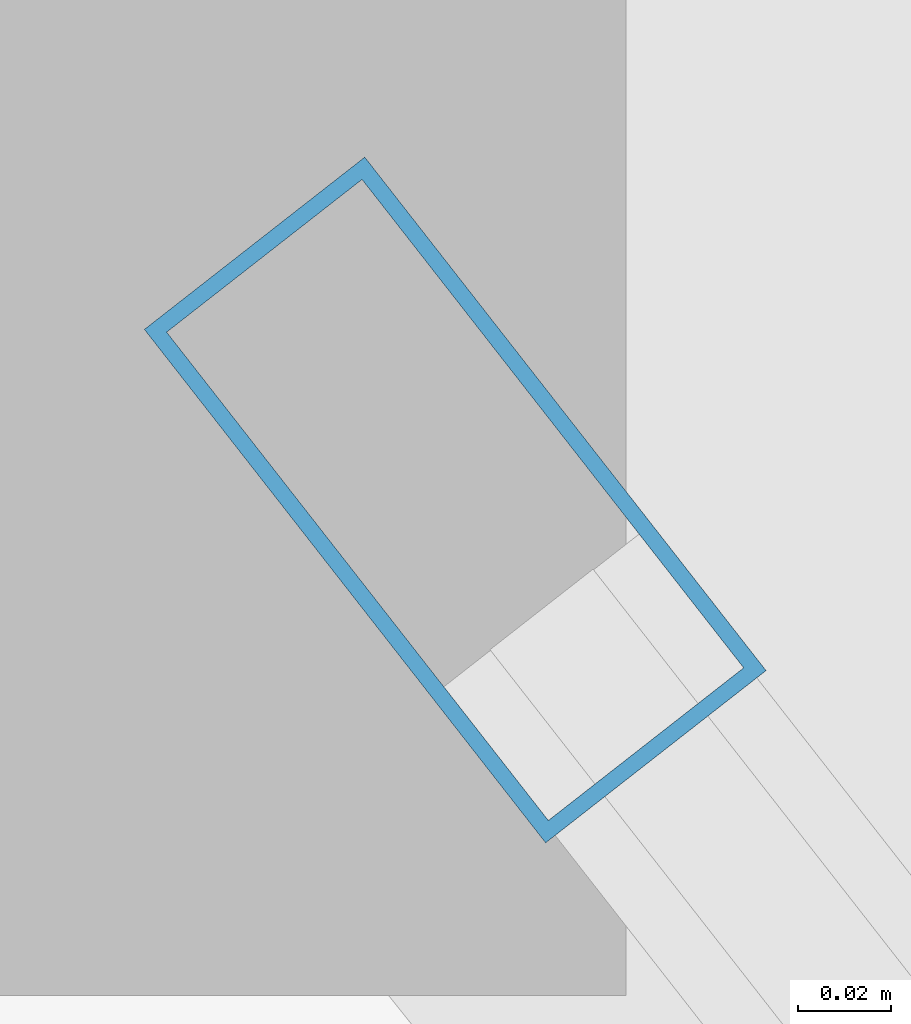
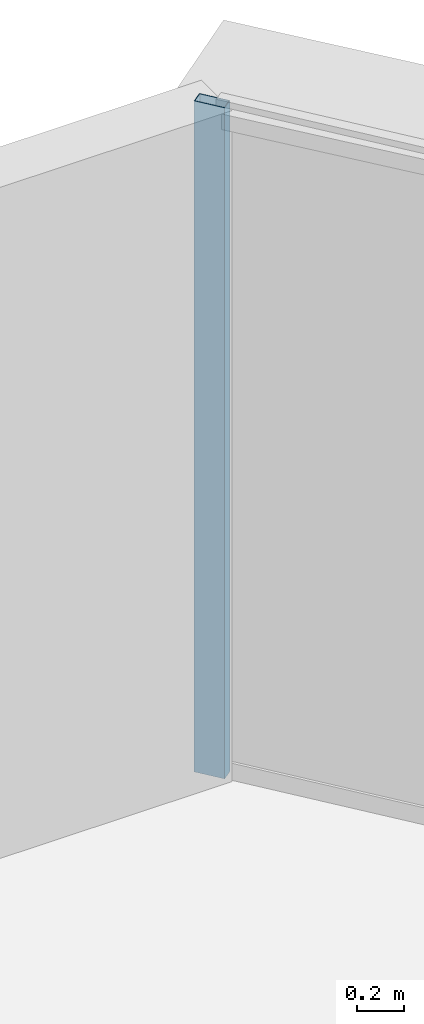
# One storey, part 23 of 36: 1 member, 1 element without a shape of its own.
"""IFC4 building model written with IfcOpenShell, lengths in metres."""

import ifcopenshell
import ifcopenshell.guid

model = None  # the IFC model being written
_history = None  # IfcOwnerHistory: only IFC2X3 demands one
_inside = {}  # id of a spatial element -> (the spatial element, [elements in it])
_under = {}  # id of a project, library or spatial element -> (it, [spatial elements below it])
_declared = {}  # id of a project -> (the project, [libraries it declares])
_typed = {}  # id of a type object -> (the type object, [elements of that type])
_made_of = {}  # id of a material, layer set ... -> (it, [elements and type objects made of it])


def new_model(schema):
    """Start an empty IFC model of exactly this schema.

    Asked for "IFC4X3", IfcOpenShell would pick the latest addendum, in which some entities
    have other attributes; the version numbers below select the first issue.
    IFC2X3 requires an IfcOwnerHistory on every rooted entity: one is made here for all.
    """
    global model, _history
    if schema == "IFC4X3":
        model = ifcopenshell.file(schema_version=(4, 3, 0, 0))
    else:
        model = ifcopenshell.file(schema=schema)
    _inside.clear()
    _under.clear()
    _declared.clear()
    _typed.clear()
    _made_of.clear()
    _history = None
    if model.schema == "IFC2X3":
        org = make("IfcOrganization", Name="unknown")
        user = make(
            "IfcPersonAndOrganization",
            ThePerson=make("IfcPerson", FamilyName="unknown"),
            TheOrganization=org,
        )
        app = make(
            "IfcApplication",
            ApplicationDeveloper=org,
            Version="unknown",
            ApplicationFullName="unknown",
            ApplicationIdentifier="unknown",
        )
        _history = make(
            "IfcOwnerHistory",
            OwningUser=user,
            OwningApplication=app,
            ChangeAction="ADDED",
            CreationDate=0,
        )
    return model


def make(cls, **values):
    """One entity of the class cls with the attributes given. An attribute that is None is left unset."""
    return model.create_entity(
        cls, **{name: value for name, value in values.items() if value is not None}
    )


def rooted(cls, **values):
    """An entity with a GlobalId (a new one), such as an element, a storey or a relation."""
    return make(cls, GlobalId=ifcopenshell.guid.new(), OwnerHistory=_history, **values)


def si_unit(unit_type, name, prefix=None):
    """IfcSIUnit, for example si_unit("LENGTHUNIT", "METRE", prefix="MILLI")."""
    return make("IfcSIUnit", UnitType=unit_type, Prefix=prefix, Name=name)


def assignment(units):
    """IfcUnitAssignment: the units of a project."""
    return None if units is None else make("IfcUnitAssignment", Units=units)


def point(xyz):
    """IfcCartesianPoint."""
    return None if xyz is None else make("IfcCartesianPoint", Coordinates=xyz)


def direction(xyz):
    """IfcDirection."""
    return None if xyz is None else make("IfcDirection", DirectionRatios=xyz)


def frame(location, z_axis=None, x_axis=None):
    """IfcAxis2Placement3D, a coordinate frame: its origin and axes. An axis left out is left unset."""
    return make(
        "IfcAxis2Placement3D",
        Location=point(location),
        Axis=direction(z_axis),
        RefDirection=direction(x_axis),
    )


def frame_2d(location, x_axis=None):
    """IfcAxis2Placement2D, a coordinate frame in the plane: its origin and x axis."""
    return make(
        "IfcAxis2Placement2D", Location=point(location), RefDirection=direction(x_axis)
    )


def origin():
    """The frame at (0, 0, 0) with its axes left unset."""
    return frame((0.0, 0.0, 0.0))


def origin_2d():
    """The frame at (0, 0) in the plane with its x axis left unset."""
    return frame_2d((0.0, 0.0))


def place(relative_to, where):
    """IfcLocalPlacement: puts the frame where relative to a parent placement (None: the world)."""
    return make(
        "IfcLocalPlacement", PlacementRelTo=relative_to, RelativePlacement=where
    )


def context(
    kind, dimensions, precision=None, world=None, true_north=None, identifier=None
):
    """IfcGeometricRepresentationContext, for example the 3D "Model" context."""
    return make(
        "IfcGeometricRepresentationContext",
        ContextIdentifier=identifier,
        ContextType=kind,
        CoordinateSpaceDimension=dimensions,
        Precision=precision,
        WorldCoordinateSystem=world,
        TrueNorth=true_north,
    )


def subcontext(parent, identifier, kind, view, scale=None):
    """IfcGeometricRepresentationSubContext, for example "Body" below "Model"."""
    return make(
        "IfcGeometricRepresentationSubContext",
        ContextIdentifier=identifier,
        ContextType=kind,
        ParentContext=parent,
        TargetScale=scale,
        TargetView=view,
    )


def project(units=None, contexts=None):
    """IfcProject with its units and contexts."""
    return rooted(
        "IfcProject",
        Name="project",
        RepresentationContexts=contexts,
        UnitsInContext=assignment(units),
    )


def spatial(cls, under=None, at=None, **own):
    """A site, building, storey or space (cls), placed at a placement, below another one or the project."""
    s = rooted(cls, ObjectPlacement=at, **own)
    if under is not None:
        _under.setdefault(under.id(), (under, []))[1].append(s)
    return s


def profile(cls, at=None, kind="AREA", **sizes):
    """A parametric profile (cls). Its sizes go by their IFC names, for example OverallWidth=200.0."""
    return make(cls, ProfileType=kind, Position=at, **sizes)


def hollow_rectangle(**sizes):
    """IfcRectangleHollowProfileDef."""
    return profile("IfcRectangleHollowProfileDef", **sizes)


def extrude(swept, where, along, depth):
    """IfcExtrudedAreaSolid: the profile swept, set in the frame where, extruded along a direction by depth."""
    return make(
        "IfcExtrudedAreaSolid",
        SweptArea=swept,
        Position=where,
        ExtrudedDirection=direction(along),
        Depth=depth,
    )


def shape(context_of_items, identifier, shape_type, items):
    """IfcShapeRepresentation: the items that make up one representation, for example the "Body"."""
    return make(
        "IfcShapeRepresentation",
        ContextOfItems=context_of_items,
        RepresentationIdentifier=identifier,
        RepresentationType=shape_type,
        Items=items,
    )


def source(mapping_origin, context_of_items, identifier, shape_type, items):
    """IfcRepresentationMap: a shape defined once, which mapped items show again and again."""
    return make(
        "IfcRepresentationMap",
        MappingOrigin=mapping_origin,
        MappedRepresentation=shape(context_of_items, identifier, shape_type, items),
    )


def transform(
    local_origin,
    x_axis=None,
    y_axis=None,
    z_axis=None,
    scale=None,
    scale2=None,
    scale3=None,
    uniform=True,
):
    """IfcCartesianTransformationOperator3D, or its non-uniform kind. x_axis, y_axis, z_axis: its Axis1, 2, 3."""
    if uniform:
        return make(
            "IfcCartesianTransformationOperator3D",
            Axis1=direction(x_axis),
            Axis2=direction(y_axis),
            LocalOrigin=point(local_origin),
            Scale=scale,
            Axis3=direction(z_axis),
        )
    return make(
        "IfcCartesianTransformationOperator3DnonUniform",
        Axis1=direction(x_axis),
        Axis2=direction(y_axis),
        LocalOrigin=point(local_origin),
        Scale=scale,
        Axis3=direction(z_axis),
        Scale2=scale2,
        Scale3=scale3,
    )


def mapped(mapping_source, mapping_target):
    """IfcMappedItem: shows the shape of a source again, moved by a transform."""
    return make(
        "IfcMappedItem", MappingSource=mapping_source, MappingTarget=mapping_target
    )


def material(Name=None, Category=None):
    """IfcMaterial."""
    return make("IfcMaterial", Name=Name, Category=Category)


def layer(
    of_material, thickness, ventilated=None, Name=None, Category=None, Priority=None
):
    """IfcMaterialLayer: one layer of a wall or slab, of a material (None: an air gap)."""
    return make(
        "IfcMaterialLayer",
        Material=of_material,
        LayerThickness=thickness,
        IsVentilated=ventilated,
        Name=Name,
        Category=Category,
        Priority=Priority,
    )


def layer_set(layers, Name=None):
    """IfcMaterialLayerSet."""
    return make("IfcMaterialLayerSet", MaterialLayers=layers, LayerSetName=Name)


def material_profile(
    of_material, cross_section, Name=None, Category=None, Priority=None
):
    """IfcMaterialProfile: a cross section and its material."""
    return make(
        "IfcMaterialProfile",
        Name=Name,
        Material=of_material,
        Profile=cross_section,
        Priority=Priority,
        Category=Category,
    )


def profile_set(profiles, Name=None, composite=None):
    """IfcMaterialProfileSet."""
    return make(
        "IfcMaterialProfileSet",
        Name=Name,
        MaterialProfiles=profiles,
        CompositeProfile=composite,
    )


def made_of(thing, what):
    """Note that an element or type object is made of a material, layer set ...; save() writes the relation."""
    if what is not None:
        _made_of.setdefault(what.id(), (what, []))[1].append(thing)
    return thing


def type_object(cls, material=None, **own):
    """A type object (cls), such as IfcWallType, which elements share."""
    return made_of(rooted(cls, **own), material)


def element(
    cls,
    number,
    at=None,
    inside=None,
    cuts=None,
    type_object=None,
    material=None,
    context=None,
    identifier="Body",
    shape_type=None,
    held_by="IfcProductDefinitionShape",
    body=None,
    shapes=None,
    **own,
):
    """One element of the class cls, such as IfcWall. Its Tag is "e" and its number.

    at: its placement. inside: the storey or other place that contains it. cuts: it is an
    opening in that element (IfcRelVoidsElement). A single representation is given by context,
    identifier, shape_type and body (its items); several are given by shapes. held_by: the class
    of the entity that holds the representations. save() writes the other relations.
    """
    e = rooted(cls, Tag="e%d" % number, ObjectPlacement=at, **own)
    if body is not None:
        shapes = [shape(context, identifier, shape_type, body)]
    if shapes is not None:
        e.Representation = make(held_by, Representations=shapes)
    if inside is not None:
        _inside.setdefault(inside.id(), (inside, []))[1].append(e)
    if cuts is not None:
        rooted(
            "IfcRelVoidsElement", RelatingBuildingElement=cuts, RelatedOpeningElement=e
        )
    if type_object is not None:
        _typed.setdefault(type_object.id(), (type_object, []))[1].append(e)
    return made_of(e, material)


def aggregate(whole, parts):
    """IfcRelAggregates: a whole, such as a stair, and the parts it consists of."""
    return rooted("IfcRelAggregates", RelatingObject=whole, RelatedObjects=parts)


def save(model, path):
    """Write the relations noted so far, then the file.

    IfcRelAggregates (storeys below a building ...), IfcRelContainedInSpatialStructure (elements
    in a storey), IfcRelDefinesByType, IfcRelAssociatesMaterial and IfcRelDeclares: one each for
    every whole, place, type object, material and project.
    """
    for whole, parts in _under.values():
        aggregate(whole, parts)
    for where, things in _inside.values():
        rooted(
            "IfcRelContainedInSpatialStructure",
            RelatedElements=things,
            RelatingStructure=where,
        )
    for kind, things in _typed.values():
        rooted("IfcRelDefinesByType", RelatedObjects=things, RelatingType=kind)
    for what, things in _made_of.values():
        rooted("IfcRelAssociatesMaterial", RelatedObjects=things, RelatingMaterial=what)
    for by, libraries in _declared.values():
        rooted("IfcRelDeclares", RelatingContext=by, RelatedDefinitions=libraries)
    model.write(path)


model = new_model("IFC4")

# Units and contexts
model_context = context("Model", 3, precision=1e-05, world=origin(), true_north=direction((0.0, 1.0)))
body_context = subcontext(model_context, "Body", "Model", "MODEL_VIEW")
ifc_project = project(units=[si_unit("LENGTHUNIT", "METRE"), si_unit("AREAUNIT", "SQUARE_METRE"), si_unit("VOLUMEUNIT", "CUBIC_METRE"), si_unit("PLANEANGLEUNIT", "RADIAN"), si_unit("MASSUNIT", "GRAM", prefix="KILO"), si_unit("THERMODYNAMICTEMPERATUREUNIT", "KELVIN"), si_unit("POWERUNIT", "WATT")], contexts=[model_context])

# Site, building, storey
site_placement = place(None, origin())
site = spatial("IfcSite", under=ifc_project, at=site_placement, CompositionType="ELEMENT")
building_placement = place(site_placement, origin())
building = spatial("IfcBuilding", under=site, at=building_placement, Name="Yunzhuo Pagoda Commons", CompositionType="ELEMENT")
storey_placement = place(building_placement, frame((0.0, 0.0, 248.260009765625)))
storey = spatial("IfcBuildingStorey", under=building, at=storey_placement, Name="L62", CompositionType="ELEMENT", Elevation=248.260009765625)

# Curtain wall, member
ifc_material = material(Name="Anodized aluminium 6063-T6", Category="aluminium")
ifc_layer = layer(ifc_material, 0.139892578125)
ifc_layer_set = layer_set([ifc_layer], Name="Anodized aluminium 6063-T6")
curtain_wall_type = type_object("IfcCurtainWallType", Name="CW-HI High-Zone Ribbon Curtain Wall", PredefinedType="NOTDEFINED", material=ifc_layer_set)
curtain_wall_placement = place(storey_placement, origin())
curtain_wall = element("IfcCurtainWall", 1, at=curtain_wall_placement, inside=storey, type_object=curtain_wall_type, Name="L62 curtain wall CW-L62-F2B5", PredefinedType="NOTDEFINED")
ifc_material_profile = material_profile(ifc_material, hollow_rectangle(XDim=0.06005859375, YDim=0.139892578125, WallThickness=0.00341796875, at=origin_2d()), Name="Anodized aluminium 6063-T6")
ifc_profile_set = profile_set([ifc_material_profile], Name="Anodized aluminium 6063-T6")
member_type = type_object("IfcMemberType", Name="CW-HI-M Mullion RHS 140x60x3.5", PredefinedType="MULLION", material=ifc_profile_set)
shared_shape = source(origin(), body_context, "Body", "SweptSolid", [
    extrude(hollow_rectangle(XDim=0.06005859375, YDim=0.139892578125, WallThickness=0.00341796875, at=origin_2d()), origin(), (0.0, 0.0, 1.0), 3.47021484375),
])
member_placement = place(storey_placement, frame((51.886962890625, 79.776123046875, 0.0), z_axis=(0.0, 0.0, 1.0), x_axis=(-0.787911077131, -0.615789034114, 0.0)))
member = element("IfcMember", 2, at=member_placement, type_object=member_type, Name="CW mullion 2", PredefinedType="MULLION", context=body_context, shape_type="MappedRepresentation", body=[
    mapped(shared_shape, transform((0.0, 0.0, 0.0), scale=1.0)),
])
aggregate(curtain_wall, [member])

save(model, "model.ifc")
